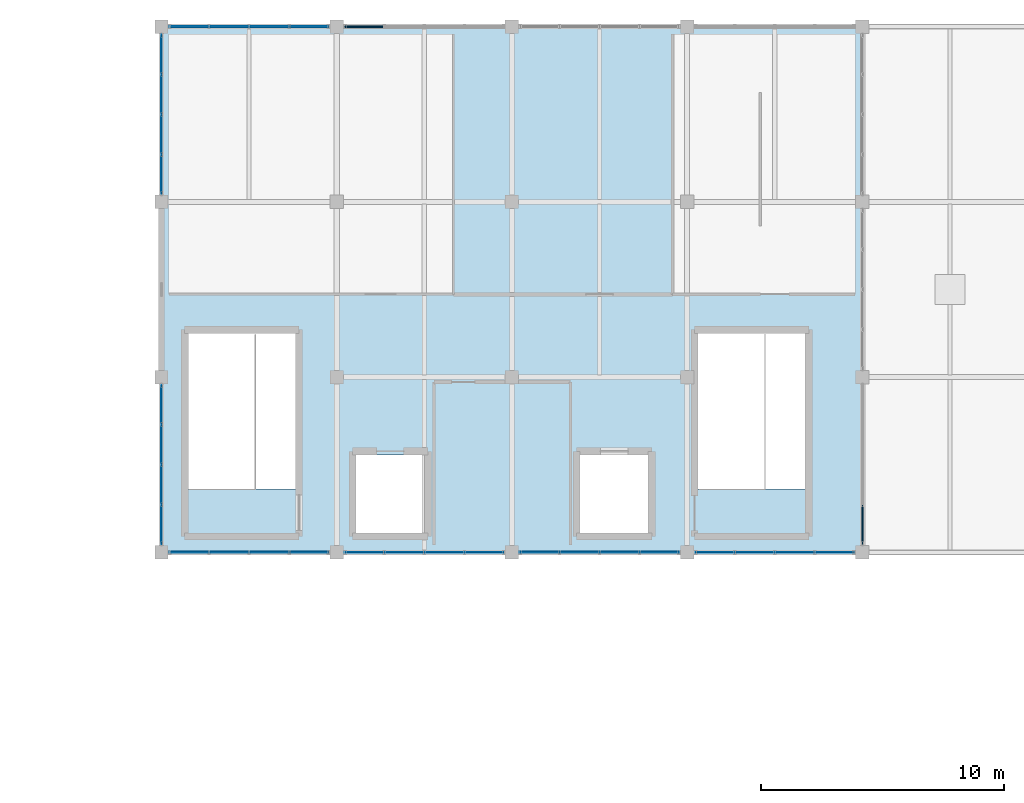
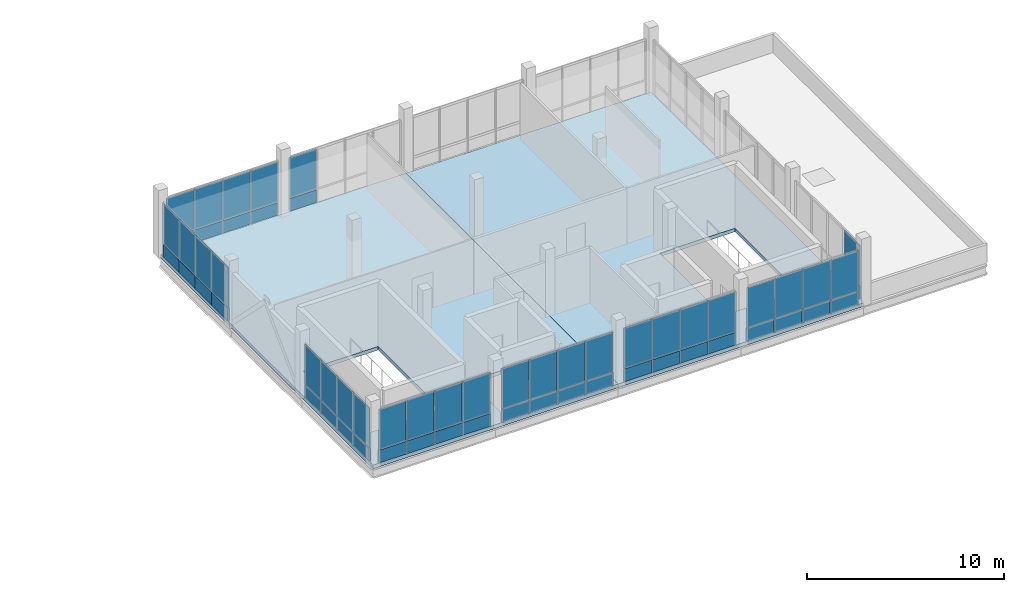
# One storey, part 16 of 28: 60 plates, 2 slabs, 9 elements without a shape of their own.
"""IFC4 building model written with IfcOpenShell, lengths in metres."""

import ifcopenshell
import ifcopenshell.guid

model = None  # the IFC model being written
_history = None  # IfcOwnerHistory: only IFC2X3 demands one
_inside = {}  # id of a spatial element -> (the spatial element, [elements in it])
_under = {}  # id of a project, library or spatial element -> (it, [spatial elements below it])
_declared = {}  # id of a project -> (the project, [libraries it declares])
_typed = {}  # id of a type object -> (the type object, [elements of that type])
_made_of = {}  # id of a material, layer set ... -> (it, [elements and type objects made of it])


def new_model(schema):
    """Start an empty IFC model of exactly this schema.

    Asked for "IFC4X3", IfcOpenShell would pick the latest addendum, in which some entities
    have other attributes; the version numbers below select the first issue.
    IFC2X3 requires an IfcOwnerHistory on every rooted entity: one is made here for all.
    """
    global model, _history
    if schema == "IFC4X3":
        model = ifcopenshell.file(schema_version=(4, 3, 0, 0))
    else:
        model = ifcopenshell.file(schema=schema)
    _inside.clear()
    _under.clear()
    _declared.clear()
    _typed.clear()
    _made_of.clear()
    _history = None
    if model.schema == "IFC2X3":
        org = make("IfcOrganization", Name="unknown")
        user = make(
            "IfcPersonAndOrganization",
            ThePerson=make("IfcPerson", FamilyName="unknown"),
            TheOrganization=org,
        )
        app = make(
            "IfcApplication",
            ApplicationDeveloper=org,
            Version="unknown",
            ApplicationFullName="unknown",
            ApplicationIdentifier="unknown",
        )
        _history = make(
            "IfcOwnerHistory",
            OwningUser=user,
            OwningApplication=app,
            ChangeAction="ADDED",
            CreationDate=0,
        )
    return model


def make(cls, **values):
    """One entity of the class cls with the attributes given. An attribute that is None is left unset."""
    return model.create_entity(
        cls, **{name: value for name, value in values.items() if value is not None}
    )


def rooted(cls, **values):
    """An entity with a GlobalId (a new one), such as an element, a storey or a relation."""
    return make(cls, GlobalId=ifcopenshell.guid.new(), OwnerHistory=_history, **values)


def si_unit(unit_type, name, prefix=None):
    """IfcSIUnit, for example si_unit("LENGTHUNIT", "METRE", prefix="MILLI")."""
    return make("IfcSIUnit", UnitType=unit_type, Prefix=prefix, Name=name)


def assignment(units):
    """IfcUnitAssignment: the units of a project."""
    return None if units is None else make("IfcUnitAssignment", Units=units)


def point(xyz):
    """IfcCartesianPoint."""
    return None if xyz is None else make("IfcCartesianPoint", Coordinates=xyz)


def direction(xyz):
    """IfcDirection."""
    return None if xyz is None else make("IfcDirection", DirectionRatios=xyz)


def frame(location, z_axis=None, x_axis=None):
    """IfcAxis2Placement3D, a coordinate frame: its origin and axes. An axis left out is left unset."""
    return make(
        "IfcAxis2Placement3D",
        Location=point(location),
        Axis=direction(z_axis),
        RefDirection=direction(x_axis),
    )


def frame_2d(location, x_axis=None):
    """IfcAxis2Placement2D, a coordinate frame in the plane: its origin and x axis."""
    return make(
        "IfcAxis2Placement2D", Location=point(location), RefDirection=direction(x_axis)
    )


def origin():
    """The frame at (0, 0, 0) with its axes left unset."""
    return frame((0.0, 0.0, 0.0))


def origin_2d():
    """The frame at (0, 0) in the plane with its x axis left unset."""
    return frame_2d((0.0, 0.0))


def place(relative_to, where):
    """IfcLocalPlacement: puts the frame where relative to a parent placement (None: the world)."""
    return make(
        "IfcLocalPlacement", PlacementRelTo=relative_to, RelativePlacement=where
    )


def context(
    kind, dimensions, precision=None, world=None, true_north=None, identifier=None
):
    """IfcGeometricRepresentationContext, for example the 3D "Model" context."""
    return make(
        "IfcGeometricRepresentationContext",
        ContextIdentifier=identifier,
        ContextType=kind,
        CoordinateSpaceDimension=dimensions,
        Precision=precision,
        WorldCoordinateSystem=world,
        TrueNorth=true_north,
    )


def subcontext(parent, identifier, kind, view, scale=None):
    """IfcGeometricRepresentationSubContext, for example "Body" below "Model"."""
    return make(
        "IfcGeometricRepresentationSubContext",
        ContextIdentifier=identifier,
        ContextType=kind,
        ParentContext=parent,
        TargetScale=scale,
        TargetView=view,
    )


def project(units=None, contexts=None):
    """IfcProject with its units and contexts."""
    return rooted(
        "IfcProject",
        Name="project",
        RepresentationContexts=contexts,
        UnitsInContext=assignment(units),
    )


def spatial(cls, under=None, at=None, **own):
    """A site, building, storey or space (cls), placed at a placement, below another one or the project."""
    s = rooted(cls, ObjectPlacement=at, **own)
    if under is not None:
        _under.setdefault(under.id(), (under, []))[1].append(s)
    return s


def polyline(points):
    """IfcPolyline through the points."""
    return make("IfcPolyline", Points=[point(p) for p in points])


def profile(cls, at=None, kind="AREA", **sizes):
    """A parametric profile (cls). Its sizes go by their IFC names, for example OverallWidth=200.0."""
    return make(cls, ProfileType=kind, Position=at, **sizes)


def rectangle(**sizes):
    """IfcRectangleProfileDef."""
    return profile("IfcRectangleProfileDef", **sizes)


def outline(outer, holes=None, kind="AREA"):
    """IfcArbitraryClosedProfileDef: a profile drawn as a closed curve; with holes, ...WithVoids."""
    if holes is None:
        return make("IfcArbitraryClosedProfileDef", ProfileType=kind, OuterCurve=outer)
    return make(
        "IfcArbitraryProfileDefWithVoids",
        ProfileType=kind,
        OuterCurve=outer,
        InnerCurves=holes,
    )


def extrude(swept, where, along, depth):
    """IfcExtrudedAreaSolid: the profile swept, set in the frame where, extruded along a direction by depth."""
    return make(
        "IfcExtrudedAreaSolid",
        SweptArea=swept,
        Position=where,
        ExtrudedDirection=direction(along),
        Depth=depth,
    )


def shape(context_of_items, identifier, shape_type, items):
    """IfcShapeRepresentation: the items that make up one representation, for example the "Body"."""
    return make(
        "IfcShapeRepresentation",
        ContextOfItems=context_of_items,
        RepresentationIdentifier=identifier,
        RepresentationType=shape_type,
        Items=items,
    )


def material(Name=None, Category=None):
    """IfcMaterial."""
    return make("IfcMaterial", Name=Name, Category=Category)


def layer(
    of_material, thickness, ventilated=None, Name=None, Category=None, Priority=None
):
    """IfcMaterialLayer: one layer of a wall or slab, of a material (None: an air gap)."""
    return make(
        "IfcMaterialLayer",
        Material=of_material,
        LayerThickness=thickness,
        IsVentilated=ventilated,
        Name=Name,
        Category=Category,
        Priority=Priority,
    )


def layer_set(layers, Name=None):
    """IfcMaterialLayerSet."""
    return make("IfcMaterialLayerSet", MaterialLayers=layers, LayerSetName=Name)


def made_of(thing, what):
    """Note that an element or type object is made of a material, layer set ...; save() writes the relation."""
    if what is not None:
        _made_of.setdefault(what.id(), (what, []))[1].append(thing)
    return thing


def type_object(cls, material=None, **own):
    """A type object (cls), such as IfcWallType, which elements share."""
    return made_of(rooted(cls, **own), material)


def element(
    cls,
    number,
    at=None,
    inside=None,
    cuts=None,
    type_object=None,
    material=None,
    context=None,
    identifier="Body",
    shape_type=None,
    held_by="IfcProductDefinitionShape",
    body=None,
    shapes=None,
    **own,
):
    """One element of the class cls, such as IfcWall. Its Tag is "e" and its number.

    at: its placement. inside: the storey or other place that contains it. cuts: it is an
    opening in that element (IfcRelVoidsElement). A single representation is given by context,
    identifier, shape_type and body (its items); several are given by shapes. held_by: the class
    of the entity that holds the representations. save() writes the other relations.
    """
    e = rooted(cls, Tag="e%d" % number, ObjectPlacement=at, **own)
    if body is not None:
        shapes = [shape(context, identifier, shape_type, body)]
    if shapes is not None:
        e.Representation = make(held_by, Representations=shapes)
    if inside is not None:
        _inside.setdefault(inside.id(), (inside, []))[1].append(e)
    if cuts is not None:
        rooted(
            "IfcRelVoidsElement", RelatingBuildingElement=cuts, RelatedOpeningElement=e
        )
    if type_object is not None:
        _typed.setdefault(type_object.id(), (type_object, []))[1].append(e)
    return made_of(e, material)


def aggregate(whole, parts):
    """IfcRelAggregates: a whole, such as a stair, and the parts it consists of."""
    return rooted("IfcRelAggregates", RelatingObject=whole, RelatedObjects=parts)


def save(model, path):
    """Write the relations noted so far, then the file.

    IfcRelAggregates (storeys below a building ...), IfcRelContainedInSpatialStructure (elements
    in a storey), IfcRelDefinesByType, IfcRelAssociatesMaterial and IfcRelDeclares: one each for
    every whole, place, type object, material and project.
    """
    for whole, parts in _under.values():
        aggregate(whole, parts)
    for where, things in _inside.values():
        rooted(
            "IfcRelContainedInSpatialStructure",
            RelatedElements=things,
            RelatingStructure=where,
        )
    for kind, things in _typed.values():
        rooted("IfcRelDefinesByType", RelatedObjects=things, RelatingType=kind)
    for what, things in _made_of.values():
        rooted("IfcRelAssociatesMaterial", RelatedObjects=things, RelatingMaterial=what)
    for by, libraries in _declared.values():
        rooted("IfcRelDeclares", RelatingContext=by, RelatedDefinitions=libraries)
    model.write(path)


model = new_model("IFC4")

# Units and contexts
model_context = context("Model", 3, precision=1e-05, world=origin(), true_north=direction((0.0, 1.0)))
body_context = subcontext(model_context, "Body", "Model", "MODEL_VIEW")
ifc_project = project(units=[si_unit("LENGTHUNIT", "METRE"), si_unit("AREAUNIT", "SQUARE_METRE"), si_unit("VOLUMEUNIT", "CUBIC_METRE"), si_unit("PLANEANGLEUNIT", "RADIAN"), si_unit("MASSUNIT", "GRAM", prefix="KILO")], contexts=[model_context])

# Site, building, storey
site_placement = place(None, origin())
site = spatial("IfcSite", under=ifc_project, at=site_placement, CompositionType="ELEMENT")
building_placement = place(site_placement, origin())
building = spatial("IfcBuilding", under=site, at=building_placement, Name="Yarey Park Central Fire Station", CompositionType="ELEMENT")
storey_placement = place(building_placement, frame((0.0, 0.0, 22.199951171875)))
storey = spatial("IfcBuildingStorey", under=building, at=storey_placement, Name="L06", CompositionType="ELEMENT", Elevation=22.199951171875)

# Curtain wall, plates
ifc_material_1 = material(Name="Anodized Aluminium Frame", Category="aluminium")
curtain_wall_type = type_object("IfcCurtainWallType", Name="ENV_CW_HQ_L06", PredefinedType="NOTDEFINED", material=ifc_material_1)
curtain_wall_1_placement = place(storey_placement, origin())
curtain_wall_1 = element("IfcCurtainWall", 1, at=curtain_wall_1_placement, inside=storey, type_object=curtain_wall_type, Name="CW_L06_V4_S_2", PredefinedType="NOTDEFINED")
ifc_material_2 = material(Name="Insulated Aluminium Spandrel Panel", Category="aluminium")
ifc_layer_1 = layer(ifc_material_2, 0.055908203125)
ifc_layer_set_1 = layer_set([ifc_layer_1], Name="Insulated Aluminium Spandrel Panel")
plate_type_1 = type_object("IfcPlateType", Name="ENV_PNL_SPN_01", PredefinedType="CURTAIN_PANEL", material=ifc_layer_set_1)
plate_1_placement = place(storey_placement, frame((123.532470703125, 93.60009765625, 0.04248046875), z_axis=(0.0, 0.0, 1.0), x_axis=(1.0, 0.0, 0.0)))
plate_1 = element("IfcPlate", 2, at=plate_1_placement, type_object=plate_type_1, Name="CW_L06_V4_S_2_PNL01", PredefinedType="CURTAIN_PANEL", context=body_context, shape_type="SweptSolid", body=[
    extrude(rectangle(XDim=1.60498046875, YDim=0.055908203125, at=origin_2d()), origin(), (0.0, 0.0, 1.0), 0.7900390625),
])
plate_2_placement = place(storey_placement, frame((125.177490234375, 93.60009765625, 0.04248046875), z_axis=(0.0, 0.0, 1.0), x_axis=(1.0, 0.0, 0.0)))
plate_2 = element("IfcPlate", 3, at=plate_2_placement, type_object=plate_type_1, Name="CW_L06_V4_S_2_PNL03", PredefinedType="CURTAIN_PANEL", context=body_context, shape_type="SweptSolid", body=[
    extrude(rectangle(XDim=1.60498046875, YDim=0.055908203125, at=origin_2d()), origin(), (0.0, 0.0, 1.0), 0.7900390625),
])
plate_3_placement = place(storey_placement, frame((126.822509765625, 93.60009765625, 0.04248046875), z_axis=(0.0, 0.0, 1.0), x_axis=(1.0, 0.0, 0.0)))
plate_3 = element("IfcPlate", 4, at=plate_3_placement, type_object=plate_type_1, Name="CW_L06_V4_S_2_PNL05", PredefinedType="CURTAIN_PANEL", context=body_context, shape_type="SweptSolid", body=[
    extrude(rectangle(XDim=1.60498046875, YDim=0.055908203125, at=origin_2d()), origin(), (0.0, 0.0, 1.0), 0.7900390625),
])
plate_4_placement = place(storey_placement, frame((128.467529296875, 93.60009765625, 0.04248046875), z_axis=(0.0, 0.0, 1.0), x_axis=(1.0, 0.0, 0.0)))
plate_4 = element("IfcPlate", 5, at=plate_4_placement, type_object=plate_type_1, Name="CW_L06_V4_S_2_PNL07", PredefinedType="CURTAIN_PANEL", context=body_context, shape_type="SweptSolid", body=[
    extrude(rectangle(XDim=1.60498046875, YDim=0.055908203125, at=origin_2d()), origin(), (0.0, 0.0, 1.0), 0.7900390625),
])

curtain_wall_2_placement = place(storey_placement, origin())
curtain_wall_2 = element("IfcCurtainWall", 6, at=curtain_wall_2_placement, inside=storey, type_object=curtain_wall_type, Name="CW_L06_V4_S_4", PredefinedType="NOTDEFINED")
plate_5_placement = place(storey_placement, frame((137.9326171875, 93.60009765625, 0.04248046875), z_axis=(0.0, 0.0, 1.0), x_axis=(1.0, 0.0, 0.0)))
plate_5 = element("IfcPlate", 7, at=plate_5_placement, type_object=plate_type_1, Name="CW_L06_V4_S_4_PNL01", PredefinedType="CURTAIN_PANEL", context=body_context, shape_type="SweptSolid", body=[
    extrude(rectangle(XDim=1.60498046875, YDim=0.055908203125, at=origin_2d()), origin(), (0.0, 0.0, 1.0), 0.7900390625),
])
plate_6_placement = place(storey_placement, frame((139.577392578125, 93.60009765625, 0.04248046875), z_axis=(0.0, 0.0, 1.0), x_axis=(1.0, 0.0, 0.0)))
plate_6 = element("IfcPlate", 8, at=plate_6_placement, type_object=plate_type_1, Name="CW_L06_V4_S_4_PNL03", PredefinedType="CURTAIN_PANEL", context=body_context, shape_type="SweptSolid", body=[
    extrude(rectangle(XDim=1.60498046875, YDim=0.055908203125, at=origin_2d()), origin(), (0.0, 0.0, 1.0), 0.7900390625),
])
plate_7_placement = place(storey_placement, frame((141.222412109375, 93.60009765625, 0.04248046875), z_axis=(0.0, 0.0, 1.0), x_axis=(1.0, 0.0, 0.0)))
plate_7 = element("IfcPlate", 9, at=plate_7_placement, type_object=plate_type_1, Name="CW_L06_V4_S_4_PNL05", PredefinedType="CURTAIN_PANEL", context=body_context, shape_type="SweptSolid", body=[
    extrude(rectangle(XDim=1.60498046875, YDim=0.055908203125, at=origin_2d()), origin(), (0.0, 0.0, 1.0), 0.7900390625),
])
plate_8_placement = place(storey_placement, frame((142.867431640625, 93.60009765625, 0.04248046875), z_axis=(0.0, 0.0, 1.0), x_axis=(1.0, 0.0, 0.0)))
plate_8 = element("IfcPlate", 10, at=plate_8_placement, type_object=plate_type_1, Name="CW_L06_V4_S_4_PNL07", PredefinedType="CURTAIN_PANEL", context=body_context, shape_type="SweptSolid", body=[
    extrude(rectangle(XDim=1.60498046875, YDim=0.055908203125, at=origin_2d()), origin(), (0.0, 0.0, 1.0), 0.7900390625),
])

curtain_wall_3_placement = place(storey_placement, origin())
curtain_wall_3 = element("IfcCurtainWall", 11, at=curtain_wall_3_placement, inside=storey, type_object=curtain_wall_type, Name="CW_L06_V4_N_1", PredefinedType="NOTDEFINED")
ifc_layer_2 = layer(ifc_material_2, 0.068115234375)
ifc_layer_set_2 = layer_set([ifc_layer_2], Name="Insulated Aluminium Spandrel Panel")
plate_type_2 = type_object("IfcPlateType", Name="ENV_PNL_SPN_02", PredefinedType="CURTAIN_PANEL", material=ifc_layer_set_2)
plate_9_placement = place(storey_placement, frame((121.267578125, 115.199951171875, 0.04248046875), z_axis=(0.0, 0.0, 1.0), x_axis=(-1.0, 0.0, 0.0)))
plate_9 = element("IfcPlate", 12, at=plate_9_placement, type_object=plate_type_2, Name="CW_L06_V4_N_1_PNL01", PredefinedType="CURTAIN_PANEL", context=body_context, shape_type="SweptSolid", body=[
    extrude(rectangle(XDim=1.60498046875, YDim=0.068115234375, at=origin_2d()), origin(), (0.0, 0.0, 1.0), 0.7900390625),
])
plate_10_placement = place(storey_placement, frame((119.62255859375, 115.199951171875, 0.04248046875), z_axis=(0.0, 0.0, 1.0), x_axis=(-1.0, 0.0, 0.0)))
plate_10 = element("IfcPlate", 13, at=plate_10_placement, type_object=plate_type_2, Name="CW_L06_V4_N_1_PNL03", PredefinedType="CURTAIN_PANEL", context=body_context, shape_type="SweptSolid", body=[
    extrude(rectangle(XDim=1.60498046875, YDim=0.068115234375, at=origin_2d()), origin(), (0.0, 0.0, 1.0), 0.7900390625),
])
plate_11_placement = place(storey_placement, frame((117.9775390625, 115.199951171875, 0.04248046875), z_axis=(0.0, 0.0, 1.0), x_axis=(-1.0, 0.0, 0.0)))
plate_11 = element("IfcPlate", 14, at=plate_11_placement, type_object=plate_type_2, Name="CW_L06_V4_N_1_PNL05", PredefinedType="CURTAIN_PANEL", context=body_context, shape_type="SweptSolid", body=[
    extrude(rectangle(XDim=1.60498046875, YDim=0.068115234375, at=origin_2d()), origin(), (0.0, 0.0, 1.0), 0.7900390625),
])
plate_12_placement = place(storey_placement, frame((116.33251953125, 115.199951171875, 0.04248046875), z_axis=(0.0, 0.0, 1.0), x_axis=(-1.0, 0.0, 0.0)))
plate_12 = element("IfcPlate", 15, at=plate_12_placement, type_object=plate_type_2, Name="CW_L06_V4_N_1_PNL07", PredefinedType="CURTAIN_PANEL", context=body_context, shape_type="SweptSolid", body=[
    extrude(rectangle(XDim=1.60498046875, YDim=0.068115234375, at=origin_2d()), origin(), (0.0, 0.0, 1.0), 0.7900390625),
])

curtain_wall_4_placement = place(storey_placement, origin())
curtain_wall_4 = element("IfcCurtainWall", 16, at=curtain_wall_4_placement, inside=storey, type_object=curtain_wall_type, Name="CW_L06_V4_W_93", PredefinedType="NOTDEFINED")
plate_13_placement = place(storey_placement, frame((115.199951171875, 99.66748046875, 0.04248046875), z_axis=(0.0, 0.0, 1.0), x_axis=(0.0, -1.0, 0.0)))
plate_13 = element("IfcPlate", 17, at=plate_13_placement, type_object=plate_type_2, Name="CW_L06_V4_W_93_PNL01", PredefinedType="CURTAIN_PANEL", context=body_context, shape_type="SweptSolid", body=[
    extrude(rectangle(XDim=1.60498046875, YDim=0.068115234375, at=origin_2d()), origin(), (0.0, 0.0, 1.0), 0.7900390625),
])
plate_14_placement = place(storey_placement, frame((115.199951171875, 98.0224609375, 0.04248046875), z_axis=(0.0, 0.0, 1.0), x_axis=(0.0, -1.0, 0.0)))
plate_14 = element("IfcPlate", 18, at=plate_14_placement, type_object=plate_type_2, Name="CW_L06_V4_W_93_PNL03", PredefinedType="CURTAIN_PANEL", context=body_context, shape_type="SweptSolid", body=[
    extrude(rectangle(XDim=1.60498046875, YDim=0.068115234375, at=origin_2d()), origin(), (0.0, 0.0, 1.0), 0.7900390625),
])
plate_15_placement = place(storey_placement, frame((115.199951171875, 96.37744140625, 0.04248046875), z_axis=(0.0, 0.0, 1.0), x_axis=(0.0, -1.0, 0.0)))
plate_15 = element("IfcPlate", 19, at=plate_15_placement, type_object=plate_type_2, Name="CW_L06_V4_W_93_PNL05", PredefinedType="CURTAIN_PANEL", context=body_context, shape_type="SweptSolid", body=[
    extrude(rectangle(XDim=1.60498046875, YDim=0.068115234375, at=origin_2d()), origin(), (0.0, 0.0, 1.0), 0.7900390625),
])
plate_16_placement = place(storey_placement, frame((115.199951171875, 94.732421875, 0.04248046875), z_axis=(0.0, 0.0, 1.0), x_axis=(0.0, -1.0, 0.0)))
plate_16 = element("IfcPlate", 20, at=plate_16_placement, type_object=plate_type_2, Name="CW_L06_V4_W_93_PNL07", PredefinedType="CURTAIN_PANEL", context=body_context, shape_type="SweptSolid", body=[
    extrude(rectangle(XDim=1.60498046875, YDim=0.068115234375, at=origin_2d()), origin(), (0.0, 0.0, 1.0), 0.7900390625),
])

curtain_wall_5_placement = place(storey_placement, origin())
curtain_wall_5 = element("IfcCurtainWall", 21, at=curtain_wall_5_placement, inside=storey, type_object=curtain_wall_type, Name="CW_L06_V4_S_1", PredefinedType="NOTDEFINED")
ifc_layer_3 = layer(ifc_material_2, 0.077880859375)
ifc_layer_set_3 = layer_set([ifc_layer_3], Name="Insulated Aluminium Spandrel Panel")
plate_type_3 = type_object("IfcPlateType", Name="ENV_PNL_SPN_03", PredefinedType="CURTAIN_PANEL", material=ifc_layer_set_3)
plate_17_placement = place(storey_placement, frame((116.33251953125, 93.60009765625, 0.04248046875), z_axis=(0.0, 0.0, 1.0), x_axis=(1.0, 0.0, 0.0)))
plate_17 = element("IfcPlate", 22, at=plate_17_placement, type_object=plate_type_3, Name="CW_L06_V4_S_1_PNL01", PredefinedType="CURTAIN_PANEL", context=body_context, shape_type="SweptSolid", body=[
    extrude(rectangle(XDim=1.60498046875, YDim=0.077880859375, at=origin_2d()), origin(), (0.0, 0.0, 1.0), 0.7900390625),
])
plate_18_placement = place(storey_placement, frame((117.9775390625, 93.60009765625, 0.04248046875), z_axis=(0.0, 0.0, 1.0), x_axis=(1.0, 0.0, 0.0)))
plate_18 = element("IfcPlate", 23, at=plate_18_placement, type_object=plate_type_3, Name="CW_L06_V4_S_1_PNL03", PredefinedType="CURTAIN_PANEL", context=body_context, shape_type="SweptSolid", body=[
    extrude(rectangle(XDim=1.60498046875, YDim=0.077880859375, at=origin_2d()), origin(), (0.0, 0.0, 1.0), 0.7900390625),
])
plate_19_placement = place(storey_placement, frame((119.62255859375, 93.60009765625, 0.04248046875), z_axis=(0.0, 0.0, 1.0), x_axis=(1.0, 0.0, 0.0)))
plate_19 = element("IfcPlate", 24, at=plate_19_placement, type_object=plate_type_3, Name="CW_L06_V4_S_1_PNL05", PredefinedType="CURTAIN_PANEL", context=body_context, shape_type="SweptSolid", body=[
    extrude(rectangle(XDim=1.60498046875, YDim=0.077880859375, at=origin_2d()), origin(), (0.0, 0.0, 1.0), 0.7900390625),
])
plate_20_placement = place(storey_placement, frame((121.267578125, 93.60009765625, 0.04248046875), z_axis=(0.0, 0.0, 1.0), x_axis=(1.0, 0.0, 0.0)))
plate_20 = element("IfcPlate", 25, at=plate_20_placement, type_object=plate_type_3, Name="CW_L06_V4_S_1_PNL07", PredefinedType="CURTAIN_PANEL", context=body_context, shape_type="SweptSolid", body=[
    extrude(rectangle(XDim=1.60498046875, YDim=0.077880859375, at=origin_2d()), origin(), (0.0, 0.0, 1.0), 0.7900390625),
])

curtain_wall_6_placement = place(storey_placement, origin())
curtain_wall_6 = element("IfcCurtainWall", 26, at=curtain_wall_6_placement, inside=storey, type_object=curtain_wall_type, Name="CW_L06_V4_S_3", PredefinedType="NOTDEFINED")
plate_21_placement = place(storey_placement, frame((130.732421875, 93.60009765625, 0.04248046875), z_axis=(0.0, 0.0, 1.0), x_axis=(1.0, 0.0, 0.0)))
plate_21 = element("IfcPlate", 27, at=plate_21_placement, type_object=plate_type_3, Name="CW_L06_V4_S_3_PNL01", PredefinedType="CURTAIN_PANEL", context=body_context, shape_type="SweptSolid", body=[
    extrude(rectangle(XDim=1.60498046875, YDim=0.077880859375, at=origin_2d()), origin(), (0.0, 0.0, 1.0), 0.7900390625),
])
plate_22_placement = place(storey_placement, frame((132.37744140625, 93.60009765625, 0.04248046875), z_axis=(0.0, 0.0, 1.0), x_axis=(1.0, 0.0, 0.0)))
plate_22 = element("IfcPlate", 28, at=plate_22_placement, type_object=plate_type_3, Name="CW_L06_V4_S_3_PNL03", PredefinedType="CURTAIN_PANEL", context=body_context, shape_type="SweptSolid", body=[
    extrude(rectangle(XDim=1.60498046875, YDim=0.077880859375, at=origin_2d()), origin(), (0.0, 0.0, 1.0), 0.7900390625),
])
plate_23_placement = place(storey_placement, frame((134.0224609375, 93.60009765625, 0.04248046875), z_axis=(0.0, 0.0, 1.0), x_axis=(1.0, 0.0, 0.0)))
plate_23 = element("IfcPlate", 29, at=plate_23_placement, type_object=plate_type_3, Name="CW_L06_V4_S_3_PNL05", PredefinedType="CURTAIN_PANEL", context=body_context, shape_type="SweptSolid", body=[
    extrude(rectangle(XDim=1.60498046875, YDim=0.077880859375, at=origin_2d()), origin(), (0.0, 0.0, 1.0), 0.7900390625),
])
plate_24_placement = place(storey_placement, frame((135.66748046875, 93.60009765625, 0.04248046875), z_axis=(0.0, 0.0, 1.0), x_axis=(1.0, 0.0, 0.0)))
plate_24 = element("IfcPlate", 30, at=plate_24_placement, type_object=plate_type_3, Name="CW_L06_V4_S_3_PNL07", PredefinedType="CURTAIN_PANEL", context=body_context, shape_type="SweptSolid", body=[
    extrude(rectangle(XDim=1.60498046875, YDim=0.077880859375, at=origin_2d()), origin(), (0.0, 0.0, 1.0), 0.7900390625),
])

curtain_wall_7_placement = place(storey_placement, origin())
curtain_wall_7 = element("IfcCurtainWall", 31, at=curtain_wall_7_placement, inside=storey, type_object=curtain_wall_type, Name="CW_L06_V4_W_108", PredefinedType="NOTDEFINED")
plate_25_placement = place(storey_placement, frame((115.199951171875, 114.0673828125, 0.04248046875), z_axis=(0.0, 0.0, 1.0), x_axis=(0.0, -1.0, 0.0)))
plate_25 = element("IfcPlate", 32, at=plate_25_placement, type_object=plate_type_3, Name="CW_L06_V4_W_108_PNL01", PredefinedType="CURTAIN_PANEL", context=body_context, shape_type="SweptSolid", body=[
    extrude(rectangle(XDim=1.60498046875, YDim=0.077880859375, at=origin_2d()), origin(), (0.0, 0.0, 1.0), 0.7900390625),
])
plate_26_placement = place(storey_placement, frame((115.199951171875, 112.422607421875, 0.04248046875), z_axis=(0.0, 0.0, 1.0), x_axis=(0.0, -1.0, 0.0)))
plate_26 = element("IfcPlate", 33, at=plate_26_placement, type_object=plate_type_3, Name="CW_L06_V4_W_108_PNL03", PredefinedType="CURTAIN_PANEL", context=body_context, shape_type="SweptSolid", body=[
    extrude(rectangle(XDim=1.60498046875, YDim=0.077880859375, at=origin_2d()), origin(), (0.0, 0.0, 1.0), 0.7900390625),
])
plate_27_placement = place(storey_placement, frame((115.199951171875, 110.777587890625, 0.04248046875), z_axis=(0.0, 0.0, 1.0), x_axis=(0.0, -1.0, 0.0)))
plate_27 = element("IfcPlate", 34, at=plate_27_placement, type_object=plate_type_3, Name="CW_L06_V4_W_108_PNL05", PredefinedType="CURTAIN_PANEL", context=body_context, shape_type="SweptSolid", body=[
    extrude(rectangle(XDim=1.60498046875, YDim=0.077880859375, at=origin_2d()), origin(), (0.0, 0.0, 1.0), 0.7900390625),
])
plate_28_placement = place(storey_placement, frame((115.199951171875, 109.132568359375, 0.04248046875), z_axis=(0.0, 0.0, 1.0), x_axis=(0.0, -1.0, 0.0)))
plate_28 = element("IfcPlate", 35, at=plate_28_placement, type_object=plate_type_3, Name="CW_L06_V4_W_108_PNL07", PredefinedType="CURTAIN_PANEL", context=body_context, shape_type="SweptSolid", body=[
    extrude(rectangle(XDim=1.60498046875, YDim=0.077880859375, at=origin_2d()), origin(), (0.0, 0.0, 1.0), 0.7900390625),
])

# Curtain wall, plate
curtain_wall_8_placement = place(storey_placement, origin())
curtain_wall_8 = element("IfcCurtainWall", 36, at=curtain_wall_8_placement, inside=storey, type_object=curtain_wall_type, Name="CW_L06_V4_N_2", PredefinedType="NOTDEFINED")
ifc_layer_4 = layer(ifc_material_2, 0.087890625)
ifc_layer_set_4 = layer_set([ifc_layer_4], Name="Insulated Aluminium Spandrel Panel")
plate_type_4 = type_object("IfcPlateType", Name="ENV_PNL_SPN_04", PredefinedType="CURTAIN_PANEL", material=ifc_layer_set_4)
plate_29_placement = place(storey_placement, frame((123.532470703125, 115.199951171875, 0.04248046875), z_axis=(0.0, 0.0, 1.0), x_axis=(-1.0, 0.0, 0.0)))
plate_29 = element("IfcPlate", 37, at=plate_29_placement, type_object=plate_type_4, Name="CW_L06_V4_N_2_PNL07", PredefinedType="CURTAIN_PANEL", context=body_context, shape_type="SweptSolid", body=[
    extrude(rectangle(XDim=1.60498046875, YDim=0.087890625, at=origin_2d()), origin(), (0.0, 0.0, 1.0), 0.7900390625),
])

curtain_wall_9_placement = place(storey_placement, origin())
curtain_wall_9 = element("IfcCurtainWall", 38, at=curtain_wall_9_placement, inside=storey, type_object=curtain_wall_type, Name="CW_L06_V4_E_93", PredefinedType="NOTDEFINED")
plate_30_placement = place(storey_placement, frame((144.0, 94.732421875, 0.04248046875), z_axis=(0.0, 0.0, 1.0), x_axis=(0.0, 1.0, 0.0)))
plate_30 = element("IfcPlate", 39, at=plate_30_placement, type_object=plate_type_4, Name="CW_L06_V4_E_93_PNL01", PredefinedType="CURTAIN_PANEL", context=body_context, shape_type="SweptSolid", body=[
    extrude(rectangle(XDim=1.60498046875, YDim=0.087890625, at=origin_2d()), origin(), (0.0, 0.0, 1.0), 0.7900390625),
])

# Plate
ifc_material_3 = material(Name="Laminated Hurricane Low-E Glass", Category="glass")
ifc_layer_5 = layer(ifc_material_3, 0.02392578125)
ifc_layer_set_5 = layer_set([ifc_layer_5], Name="Laminated Hurricane Low-E Glass")
plate_type_5 = type_object("IfcPlateType", Name="ENV_PNL_VIS_01", PredefinedType="CURTAIN_PANEL", material=ifc_layer_set_5)
plate_31_placement = place(storey_placement, frame((123.532470703125, 93.60009765625, 0.86767578125), z_axis=(0.0, 0.0, 1.0), x_axis=(1.0, 0.0, 0.0)))
plate_31 = element("IfcPlate", 40, at=plate_31_placement, type_object=plate_type_5, Name="CW_L06_V4_S_2_PNL02", PredefinedType="CURTAIN_PANEL", context=body_context, shape_type="SweptSolid", body=[
    extrude(rectangle(XDim=1.60498046875, YDim=0.02392578125, at=origin_2d()), origin(), (0.0, 0.0, 1.0), 2.489990234375),
])

plate_32_placement = place(storey_placement, frame((125.177490234375, 93.60009765625, 0.86767578125), z_axis=(0.0, 0.0, 1.0), x_axis=(1.0, 0.0, 0.0)))
plate_32 = element("IfcPlate", 41, at=plate_32_placement, type_object=plate_type_5, Name="CW_L06_V4_S_2_PNL04", PredefinedType="CURTAIN_PANEL", context=body_context, shape_type="SweptSolid", body=[
    extrude(rectangle(XDim=1.60498046875, YDim=0.02392578125, at=origin_2d()), origin(), (0.0, 0.0, 1.0), 2.489990234375),
])

plate_33_placement = place(storey_placement, frame((126.822509765625, 93.60009765625, 0.86767578125), z_axis=(0.0, 0.0, 1.0), x_axis=(1.0, 0.0, 0.0)))
plate_33 = element("IfcPlate", 42, at=plate_33_placement, type_object=plate_type_5, Name="CW_L06_V4_S_2_PNL06", PredefinedType="CURTAIN_PANEL", context=body_context, shape_type="SweptSolid", body=[
    extrude(rectangle(XDim=1.60498046875, YDim=0.02392578125, at=origin_2d()), origin(), (0.0, 0.0, 1.0), 2.489990234375),
])

plate_34_placement = place(storey_placement, frame((128.467529296875, 93.60009765625, 0.86767578125), z_axis=(0.0, 0.0, 1.0), x_axis=(1.0, 0.0, 0.0)))
plate_34 = element("IfcPlate", 43, at=plate_34_placement, type_object=plate_type_5, Name="CW_L06_V4_S_2_PNL08", PredefinedType="CURTAIN_PANEL", context=body_context, shape_type="SweptSolid", body=[
    extrude(rectangle(XDim=1.60498046875, YDim=0.02392578125, at=origin_2d()), origin(), (0.0, 0.0, 1.0), 2.489990234375),
])

aggregate(curtain_wall_1, [plate_1, plate_31, plate_2, plate_32, plate_3, plate_33, plate_4, plate_34])

plate_35_placement = place(storey_placement, frame((137.9326171875, 93.60009765625, 0.86767578125), z_axis=(0.0, 0.0, 1.0), x_axis=(1.0, 0.0, 0.0)))
plate_35 = element("IfcPlate", 44, at=plate_35_placement, type_object=plate_type_5, Name="CW_L06_V4_S_4_PNL02", PredefinedType="CURTAIN_PANEL", context=body_context, shape_type="SweptSolid", body=[
    extrude(rectangle(XDim=1.60498046875, YDim=0.02392578125, at=origin_2d()), origin(), (0.0, 0.0, 1.0), 2.489990234375),
])

plate_36_placement = place(storey_placement, frame((139.577392578125, 93.60009765625, 0.86767578125), z_axis=(0.0, 0.0, 1.0), x_axis=(1.0, 0.0, 0.0)))
plate_36 = element("IfcPlate", 45, at=plate_36_placement, type_object=plate_type_5, Name="CW_L06_V4_S_4_PNL04", PredefinedType="CURTAIN_PANEL", context=body_context, shape_type="SweptSolid", body=[
    extrude(rectangle(XDim=1.60498046875, YDim=0.02392578125, at=origin_2d()), origin(), (0.0, 0.0, 1.0), 2.489990234375),
])

plate_37_placement = place(storey_placement, frame((141.222412109375, 93.60009765625, 0.86767578125), z_axis=(0.0, 0.0, 1.0), x_axis=(1.0, 0.0, 0.0)))
plate_37 = element("IfcPlate", 46, at=plate_37_placement, type_object=plate_type_5, Name="CW_L06_V4_S_4_PNL06", PredefinedType="CURTAIN_PANEL", context=body_context, shape_type="SweptSolid", body=[
    extrude(rectangle(XDim=1.60498046875, YDim=0.02392578125, at=origin_2d()), origin(), (0.0, 0.0, 1.0), 2.489990234375),
])

plate_38_placement = place(storey_placement, frame((142.867431640625, 93.60009765625, 0.86767578125), z_axis=(0.0, 0.0, 1.0), x_axis=(1.0, 0.0, 0.0)))
plate_38 = element("IfcPlate", 47, at=plate_38_placement, type_object=plate_type_5, Name="CW_L06_V4_S_4_PNL08", PredefinedType="CURTAIN_PANEL", context=body_context, shape_type="SweptSolid", body=[
    extrude(rectangle(XDim=1.60498046875, YDim=0.02392578125, at=origin_2d()), origin(), (0.0, 0.0, 1.0), 2.489990234375),
])

aggregate(curtain_wall_2, [plate_5, plate_35, plate_6, plate_36, plate_7, plate_37, plate_8, plate_38])

ifc_layer_6 = layer(ifc_material_3, 0.031982421875)
ifc_layer_set_6 = layer_set([ifc_layer_6], Name="Laminated Hurricane Low-E Glass")
plate_type_6 = type_object("IfcPlateType", Name="ENV_PNL_VIS_02", PredefinedType="CURTAIN_PANEL", material=ifc_layer_set_6)
plate_39_placement = place(storey_placement, frame((121.267578125, 115.199951171875, 0.86767578125), z_axis=(0.0, 0.0, 1.0), x_axis=(-1.0, 0.0, 0.0)))
plate_39 = element("IfcPlate", 48, at=plate_39_placement, type_object=plate_type_6, Name="CW_L06_V4_N_1_PNL02", PredefinedType="CURTAIN_PANEL", context=body_context, shape_type="SweptSolid", body=[
    extrude(rectangle(XDim=1.60498046875, YDim=0.031982421875, at=origin_2d()), origin(), (0.0, 0.0, 1.0), 2.489990234375),
])

plate_40_placement = place(storey_placement, frame((119.62255859375, 115.199951171875, 0.86767578125), z_axis=(0.0, 0.0, 1.0), x_axis=(-1.0, 0.0, 0.0)))
plate_40 = element("IfcPlate", 49, at=plate_40_placement, type_object=plate_type_6, Name="CW_L06_V4_N_1_PNL04", PredefinedType="CURTAIN_PANEL", context=body_context, shape_type="SweptSolid", body=[
    extrude(rectangle(XDim=1.60498046875, YDim=0.031982421875, at=origin_2d()), origin(), (0.0, 0.0, 1.0), 2.489990234375),
])

plate_41_placement = place(storey_placement, frame((117.9775390625, 115.199951171875, 0.86767578125), z_axis=(0.0, 0.0, 1.0), x_axis=(-1.0, 0.0, 0.0)))
plate_41 = element("IfcPlate", 50, at=plate_41_placement, type_object=plate_type_6, Name="CW_L06_V4_N_1_PNL06", PredefinedType="CURTAIN_PANEL", context=body_context, shape_type="SweptSolid", body=[
    extrude(rectangle(XDim=1.60498046875, YDim=0.031982421875, at=origin_2d()), origin(), (0.0, 0.0, 1.0), 2.489990234375),
])

plate_42_placement = place(storey_placement, frame((116.33251953125, 115.199951171875, 0.86767578125), z_axis=(0.0, 0.0, 1.0), x_axis=(-1.0, 0.0, 0.0)))
plate_42 = element("IfcPlate", 51, at=plate_42_placement, type_object=plate_type_6, Name="CW_L06_V4_N_1_PNL08", PredefinedType="CURTAIN_PANEL", context=body_context, shape_type="SweptSolid", body=[
    extrude(rectangle(XDim=1.60498046875, YDim=0.031982421875, at=origin_2d()), origin(), (0.0, 0.0, 1.0), 2.489990234375),
])

aggregate(curtain_wall_3, [plate_9, plate_39, plate_10, plate_40, plate_11, plate_41, plate_12, plate_42])

plate_43_placement = place(storey_placement, frame((115.199951171875, 99.66748046875, 0.86767578125), z_axis=(0.0, 0.0, 1.0), x_axis=(0.0, -1.0, 0.0)))
plate_43 = element("IfcPlate", 52, at=plate_43_placement, type_object=plate_type_6, Name="CW_L06_V4_W_93_PNL02", PredefinedType="CURTAIN_PANEL", context=body_context, shape_type="SweptSolid", body=[
    extrude(rectangle(XDim=1.60498046875, YDim=0.031982421875, at=origin_2d()), origin(), (0.0, 0.0, 1.0), 2.489990234375),
])

plate_44_placement = place(storey_placement, frame((115.199951171875, 98.0224609375, 0.86767578125), z_axis=(0.0, 0.0, 1.0), x_axis=(0.0, -1.0, 0.0)))
plate_44 = element("IfcPlate", 53, at=plate_44_placement, type_object=plate_type_6, Name="CW_L06_V4_W_93_PNL04", PredefinedType="CURTAIN_PANEL", context=body_context, shape_type="SweptSolid", body=[
    extrude(rectangle(XDim=1.60498046875, YDim=0.031982421875, at=origin_2d()), origin(), (0.0, 0.0, 1.0), 2.489990234375),
])

plate_45_placement = place(storey_placement, frame((115.199951171875, 96.37744140625, 0.86767578125), z_axis=(0.0, 0.0, 1.0), x_axis=(0.0, -1.0, 0.0)))
plate_45 = element("IfcPlate", 54, at=plate_45_placement, type_object=plate_type_6, Name="CW_L06_V4_W_93_PNL06", PredefinedType="CURTAIN_PANEL", context=body_context, shape_type="SweptSolid", body=[
    extrude(rectangle(XDim=1.60498046875, YDim=0.031982421875, at=origin_2d()), origin(), (0.0, 0.0, 1.0), 2.489990234375),
])

plate_46_placement = place(storey_placement, frame((115.199951171875, 94.732421875, 0.86767578125), z_axis=(0.0, 0.0, 1.0), x_axis=(0.0, -1.0, 0.0)))
plate_46 = element("IfcPlate", 55, at=plate_46_placement, type_object=plate_type_6, Name="CW_L06_V4_W_93_PNL08", PredefinedType="CURTAIN_PANEL", context=body_context, shape_type="SweptSolid", body=[
    extrude(rectangle(XDim=1.60498046875, YDim=0.031982421875, at=origin_2d()), origin(), (0.0, 0.0, 1.0), 2.489990234375),
])

aggregate(curtain_wall_4, [plate_13, plate_43, plate_14, plate_44, plate_15, plate_45, plate_16, plate_46])

ifc_layer_7 = layer(ifc_material_3, 0.0380859375)
ifc_layer_set_7 = layer_set([ifc_layer_7], Name="Laminated Hurricane Low-E Glass")
plate_type_7 = type_object("IfcPlateType", Name="ENV_PNL_VIS_03", PredefinedType="CURTAIN_PANEL", material=ifc_layer_set_7)
plate_47_placement = place(storey_placement, frame((116.33251953125, 93.60009765625, 0.86767578125), z_axis=(0.0, 0.0, 1.0), x_axis=(1.0, 0.0, 0.0)))
plate_47 = element("IfcPlate", 56, at=plate_47_placement, type_object=plate_type_7, Name="CW_L06_V4_S_1_PNL02", PredefinedType="CURTAIN_PANEL", context=body_context, shape_type="SweptSolid", body=[
    extrude(rectangle(XDim=1.60498046875, YDim=0.0380859375, at=origin_2d()), origin(), (0.0, 0.0, 1.0), 2.489990234375),
])

plate_48_placement = place(storey_placement, frame((117.9775390625, 93.60009765625, 0.86767578125), z_axis=(0.0, 0.0, 1.0), x_axis=(1.0, 0.0, 0.0)))
plate_48 = element("IfcPlate", 57, at=plate_48_placement, type_object=plate_type_7, Name="CW_L06_V4_S_1_PNL04", PredefinedType="CURTAIN_PANEL", context=body_context, shape_type="SweptSolid", body=[
    extrude(rectangle(XDim=1.60498046875, YDim=0.0380859375, at=origin_2d()), origin(), (0.0, 0.0, 1.0), 2.489990234375),
])

plate_49_placement = place(storey_placement, frame((119.62255859375, 93.60009765625, 0.86767578125), z_axis=(0.0, 0.0, 1.0), x_axis=(1.0, 0.0, 0.0)))
plate_49 = element("IfcPlate", 58, at=plate_49_placement, type_object=plate_type_7, Name="CW_L06_V4_S_1_PNL06", PredefinedType="CURTAIN_PANEL", context=body_context, shape_type="SweptSolid", body=[
    extrude(rectangle(XDim=1.60498046875, YDim=0.0380859375, at=origin_2d()), origin(), (0.0, 0.0, 1.0), 2.489990234375),
])

plate_50_placement = place(storey_placement, frame((121.267578125, 93.60009765625, 0.86767578125), z_axis=(0.0, 0.0, 1.0), x_axis=(1.0, 0.0, 0.0)))
plate_50 = element("IfcPlate", 59, at=plate_50_placement, type_object=plate_type_7, Name="CW_L06_V4_S_1_PNL08", PredefinedType="CURTAIN_PANEL", context=body_context, shape_type="SweptSolid", body=[
    extrude(rectangle(XDim=1.60498046875, YDim=0.0380859375, at=origin_2d()), origin(), (0.0, 0.0, 1.0), 2.489990234375),
])

aggregate(curtain_wall_5, [plate_17, plate_47, plate_18, plate_48, plate_19, plate_49, plate_20, plate_50])

plate_51_placement = place(storey_placement, frame((130.732421875, 93.60009765625, 0.86767578125), z_axis=(0.0, 0.0, 1.0), x_axis=(1.0, 0.0, 0.0)))
plate_51 = element("IfcPlate", 60, at=plate_51_placement, type_object=plate_type_7, Name="CW_L06_V4_S_3_PNL02", PredefinedType="CURTAIN_PANEL", context=body_context, shape_type="SweptSolid", body=[
    extrude(rectangle(XDim=1.60498046875, YDim=0.0380859375, at=origin_2d()), origin(), (0.0, 0.0, 1.0), 2.489990234375),
])

plate_52_placement = place(storey_placement, frame((132.37744140625, 93.60009765625, 0.86767578125), z_axis=(0.0, 0.0, 1.0), x_axis=(1.0, 0.0, 0.0)))
plate_52 = element("IfcPlate", 61, at=plate_52_placement, type_object=plate_type_7, Name="CW_L06_V4_S_3_PNL04", PredefinedType="CURTAIN_PANEL", context=body_context, shape_type="SweptSolid", body=[
    extrude(rectangle(XDim=1.60498046875, YDim=0.0380859375, at=origin_2d()), origin(), (0.0, 0.0, 1.0), 2.489990234375),
])

plate_53_placement = place(storey_placement, frame((134.0224609375, 93.60009765625, 0.86767578125), z_axis=(0.0, 0.0, 1.0), x_axis=(1.0, 0.0, 0.0)))
plate_53 = element("IfcPlate", 62, at=plate_53_placement, type_object=plate_type_7, Name="CW_L06_V4_S_3_PNL06", PredefinedType="CURTAIN_PANEL", context=body_context, shape_type="SweptSolid", body=[
    extrude(rectangle(XDim=1.60498046875, YDim=0.0380859375, at=origin_2d()), origin(), (0.0, 0.0, 1.0), 2.489990234375),
])

plate_54_placement = place(storey_placement, frame((135.66748046875, 93.60009765625, 0.86767578125), z_axis=(0.0, 0.0, 1.0), x_axis=(1.0, 0.0, 0.0)))
plate_54 = element("IfcPlate", 63, at=plate_54_placement, type_object=plate_type_7, Name="CW_L06_V4_S_3_PNL08", PredefinedType="CURTAIN_PANEL", context=body_context, shape_type="SweptSolid", body=[
    extrude(rectangle(XDim=1.60498046875, YDim=0.0380859375, at=origin_2d()), origin(), (0.0, 0.0, 1.0), 2.489990234375),
])

aggregate(curtain_wall_6, [plate_21, plate_51, plate_22, plate_52, plate_23, plate_53, plate_24, plate_54])

plate_55_placement = place(storey_placement, frame((115.199951171875, 114.0673828125, 0.86767578125), z_axis=(0.0, 0.0, 1.0), x_axis=(0.0, -1.0, 0.0)))
plate_55 = element("IfcPlate", 64, at=plate_55_placement, type_object=plate_type_7, Name="CW_L06_V4_W_108_PNL02", PredefinedType="CURTAIN_PANEL", context=body_context, shape_type="SweptSolid", body=[
    extrude(rectangle(XDim=1.60498046875, YDim=0.0380859375, at=origin_2d()), origin(), (0.0, 0.0, 1.0), 2.489990234375),
])

plate_56_placement = place(storey_placement, frame((115.199951171875, 112.422607421875, 0.86767578125), z_axis=(0.0, 0.0, 1.0), x_axis=(0.0, -1.0, 0.0)))
plate_56 = element("IfcPlate", 65, at=plate_56_placement, type_object=plate_type_7, Name="CW_L06_V4_W_108_PNL04", PredefinedType="CURTAIN_PANEL", context=body_context, shape_type="SweptSolid", body=[
    extrude(rectangle(XDim=1.60498046875, YDim=0.0380859375, at=origin_2d()), origin(), (0.0, 0.0, 1.0), 2.489990234375),
])

plate_57_placement = place(storey_placement, frame((115.199951171875, 110.777587890625, 0.86767578125), z_axis=(0.0, 0.0, 1.0), x_axis=(0.0, -1.0, 0.0)))
plate_57 = element("IfcPlate", 66, at=plate_57_placement, type_object=plate_type_7, Name="CW_L06_V4_W_108_PNL06", PredefinedType="CURTAIN_PANEL", context=body_context, shape_type="SweptSolid", body=[
    extrude(rectangle(XDim=1.60498046875, YDim=0.0380859375, at=origin_2d()), origin(), (0.0, 0.0, 1.0), 2.489990234375),
])

plate_58_placement = place(storey_placement, frame((115.199951171875, 109.132568359375, 0.86767578125), z_axis=(0.0, 0.0, 1.0), x_axis=(0.0, -1.0, 0.0)))
plate_58 = element("IfcPlate", 67, at=plate_58_placement, type_object=plate_type_7, Name="CW_L06_V4_W_108_PNL08", PredefinedType="CURTAIN_PANEL", context=body_context, shape_type="SweptSolid", body=[
    extrude(rectangle(XDim=1.60498046875, YDim=0.0380859375, at=origin_2d()), origin(), (0.0, 0.0, 1.0), 2.489990234375),
])

aggregate(curtain_wall_7, [plate_25, plate_55, plate_26, plate_56, plate_27, plate_57, plate_28, plate_58])

ifc_layer_8 = layer(ifc_material_3, 0.0458984375)
ifc_layer_set_8 = layer_set([ifc_layer_8], Name="Laminated Hurricane Low-E Glass")
plate_type_8 = type_object("IfcPlateType", Name="ENV_PNL_VIS_04", PredefinedType="CURTAIN_PANEL", material=ifc_layer_set_8)
plate_59_placement = place(storey_placement, frame((123.532470703125, 115.199951171875, 0.86767578125), z_axis=(0.0, 0.0, 1.0), x_axis=(-1.0, 0.0, 0.0)))
plate_59 = element("IfcPlate", 68, at=plate_59_placement, type_object=plate_type_8, Name="CW_L06_V4_N_2_PNL08", PredefinedType="CURTAIN_PANEL", context=body_context, shape_type="SweptSolid", body=[
    extrude(rectangle(XDim=1.60498046875, YDim=0.0458984375, at=origin_2d()), origin(), (0.0, 0.0, 1.0), 2.489990234375),
])

aggregate(curtain_wall_8, [plate_29, plate_59])

plate_60_placement = place(storey_placement, frame((144.0, 94.732421875, 0.86767578125), z_axis=(0.0, 0.0, 1.0), x_axis=(0.0, 1.0, 0.0)))
plate_60 = element("IfcPlate", 69, at=plate_60_placement, type_object=plate_type_8, Name="CW_L06_V4_E_93_PNL02", PredefinedType="CURTAIN_PANEL", context=body_context, shape_type="SweptSolid", body=[
    extrude(rectangle(XDim=1.60498046875, YDim=0.0458984375, at=origin_2d()), origin(), (0.0, 0.0, 1.0), 2.489990234375),
])

aggregate(curtain_wall_9, [plate_30, plate_60])

# Slabs
ifc_material_4 = material(Name="Concrete C40/50", Category="concrete")
ifc_layer_9 = layer(ifc_material_4, 0.22509765625)
ifc_layer_set_9 = layer_set([ifc_layer_9], Name="Concrete C40/50")
slab_type = type_object("IfcSlabType", Name="STR_SLAB_F225", PredefinedType="FLOOR", material=ifc_layer_set_9)
slab_1_placement = place(storey_placement, frame((0.0, 0.0, -0.224853515625)))
element("IfcSlab", 70, at=slab_1_placement, inside=storey, type_object=slab_type, Name="SLAB_L06_V4_1", PredefinedType="FLOOR", context=body_context, shape_type="SweptSolid", body=[
    extrude(outline(polyline([(115.199951171875, 93.60009765625), (129.60009765625, 93.60009765625), (129.60009765625, 115.199951171875), (115.199951171875, 115.199951171875), (115.199951171875, 93.60009765625)]), holes=[polyline([(116.300048828125, 96.199951171875), (120.699951171875, 96.199951171875), (120.699951171875, 102.60009765625), (116.300048828125, 102.60009765625), (116.300048828125, 96.199951171875)]), polyline([(123.199951171875, 94.39990234375), (126.0, 94.39990234375), (126.0, 97.60009765625), (123.199951171875, 97.60009765625), (123.199951171875, 94.39990234375)])]), origin(), (0.0, 0.0, 1.0), 0.224853515625),
])
slab_2_placement = place(storey_placement, frame((0.0, 0.0, -0.224853515625)))
element("IfcSlab", 71, at=slab_2_placement, inside=storey, type_object=slab_type, Name="SLAB_L06_V4_2", PredefinedType="FLOOR", context=body_context, shape_type="SweptSolid", body=[
    extrude(outline(polyline([(129.60009765625, 93.60009765625), (144.0, 93.60009765625), (144.0, 115.199951171875), (129.60009765625, 115.199951171875), (129.60009765625, 93.60009765625)]), holes=[polyline([(137.25, 96.199951171875), (141.64990234375, 96.199951171875), (141.64990234375, 102.60009765625), (137.25, 102.60009765625), (137.25, 96.199951171875)]), polyline([(132.39990234375, 94.39990234375), (135.199951171875, 94.39990234375), (135.199951171875, 97.60009765625), (132.39990234375, 97.60009765625), (132.39990234375, 94.39990234375)])]), origin(), (0.0, 0.0, 1.0), 0.224853515625),
])

save(model, "model.ifc")
